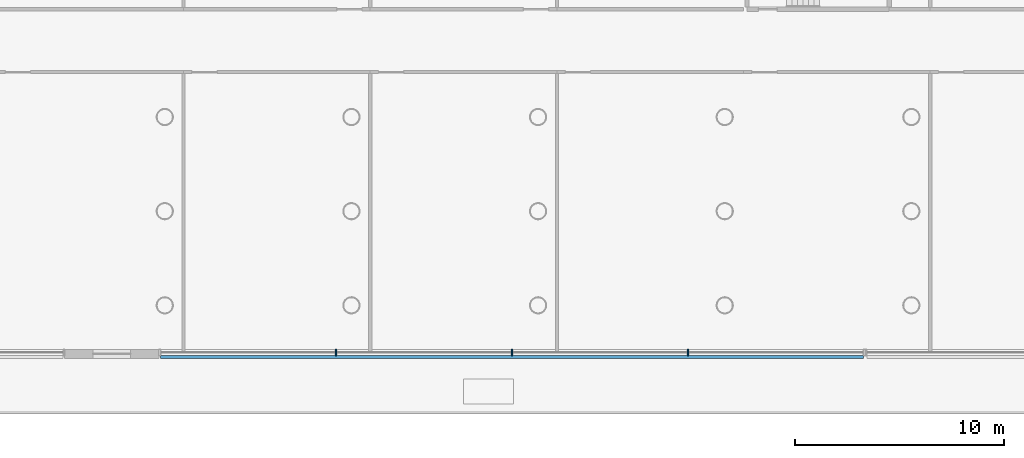
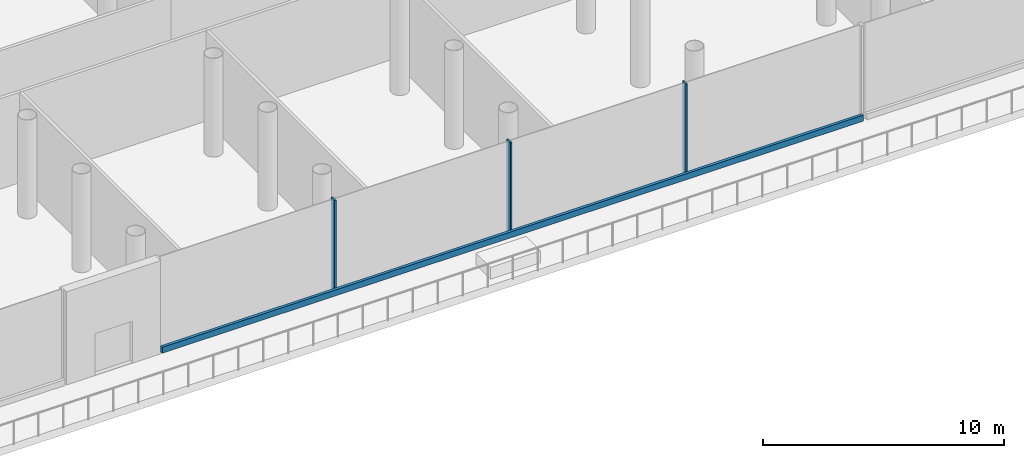
# One storey, part 6 of 59: 4 members, 1 element without a shape of its own.
"""IFC4 building model written with IfcOpenShell, lengths in metres."""

from ifc_helpers import new_model, si_unit, direction, frame, origin, origin_2d, place, context, subcontext, project, spatial, rectangle, extrude, material, layer, layer_set, material_profile, profile_set, type_object, element, aggregate, save


model = new_model("IFC4")

# Units and contexts
model_context = context("Model", 3, precision=1e-05, world=origin(), true_north=direction((0.0, 1.0)))
body_context = subcontext(model_context, "Body", "Model", "MODEL_VIEW")
ifc_project = project(units=[si_unit("LENGTHUNIT", "METRE"), si_unit("AREAUNIT", "SQUARE_METRE"), si_unit("VOLUMEUNIT", "CUBIC_METRE"), si_unit("PLANEANGLEUNIT", "RADIAN"), si_unit("MASSUNIT", "GRAM", prefix="KILO")], contexts=[model_context])

# Site, building, storey
site_placement = place(None, origin())
site = spatial("IfcSite", under=ifc_project, at=site_placement, CompositionType="ELEMENT")
building_placement = place(site_placement, origin())
building = spatial("IfcBuilding", under=site, at=building_placement, Name="Ipe Terrace Towers", CompositionType="ELEMENT")
storey_placement = place(building_placement, frame((0.0, 0.0, 6.0)))
storey = spatial("IfcBuildingStorey", under=building, at=storey_placement, Name="L01", CompositionType="ELEMENT", Elevation=6.0)

# Curtain wall, members
ifc_material_1 = material(Name="Aluminium alloy 6063-T6", Category="aluminium")
ifc_layer = layer(ifc_material_1, 0.43994140625)
ifc_layer_set = layer_set([ifc_layer], Name="PODIUM GLAZING CURTAIN WALL")
curtain_wall_type = type_object("IfcCurtainWallType", Name="PODIUM GLAZING CURTAIN WALL", PredefinedType="NOTDEFINED", material=ifc_layer_set)
curtain_wall_placement = place(storey_placement, origin())
curtain_wall = element("IfcCurtainWall", 1, at=curtain_wall_placement, inside=storey, type_object=curtain_wall_type, Name="POD-CW-L01-03c curtain wall", PredefinedType="NOTDEFINED")
ifc_material_2 = material(Name="Aluminium alloy 6063-T6", Category="aluminium")
ifc_material_profile_1 = material_profile(ifc_material_2, rectangle(XDim=0.300048828125, YDim=0.080078125, at=origin_2d()), Name="PODIUM GLAZING MULLION 300 x 80")
ifc_profile_set_1 = profile_set([ifc_material_profile_1], Name="Aluminium alloy 6063-T6")
member_type_1 = type_object("IfcMemberType", Name="PODIUM GLAZING MULLION 300 x 80", PredefinedType="MULLION", material=ifc_profile_set_1)
member_1_placement = place(storey_placement, frame((-25.29248046875, -39.89990234375, -0.02001953125), z_axis=(0.0, 0.0, 1.0), x_axis=(0.0, -1.0, 0.0)))
member_1 = element("IfcMember", 2, at=member_1_placement, type_object=member_type_1, Name="POD-CW-L01-03c mullion 2", PredefinedType="MULLION", context=body_context, shape_type="SweptSolid", body=[
    extrude(rectangle(XDim=0.300048828125, YDim=0.080078125, at=origin_2d()), origin(), (0.0, 0.0, 1.0), 4.719970703125),
])
member_2_placement = place(storey_placement, frame((-16.875, -39.89990234375, -0.02001953125), z_axis=(0.0, 0.0, 1.0), x_axis=(0.0, -1.0, 0.0)))
member_2 = element("IfcMember", 3, at=member_2_placement, type_object=member_type_1, Name="POD-CW-L01-03c mullion 3", PredefinedType="MULLION", context=body_context, shape_type="SweptSolid", body=[
    extrude(rectangle(XDim=0.300048828125, YDim=0.080078125, at=origin_2d()), origin(), (0.0, 0.0, 1.0), 4.719970703125),
])
member_3_placement = place(storey_placement, frame((-8.45751953125, -39.89990234375, -0.02001953125), z_axis=(0.0, 0.0, 1.0), x_axis=(0.0, -1.0, 0.0)))
member_3 = element("IfcMember", 4, at=member_3_placement, type_object=member_type_1, Name="POD-CW-L01-03c mullion 4", PredefinedType="MULLION", context=body_context, shape_type="SweptSolid", body=[
    extrude(rectangle(XDim=0.300048828125, YDim=0.080078125, at=origin_2d()), origin(), (0.0, 0.0, 1.0), 4.719970703125),
])
ifc_material_3 = material(Name="Aluminium alloy 6063-T6", Category="aluminium")
ifc_material_profile_2 = material_profile(ifc_material_3, rectangle(XDim=0.139892578125, YDim=0.300048828125, at=origin_2d()), Name="PODIUM GLAZING TRANSOM 140 x 300")
ifc_profile_set_2 = profile_set([ifc_material_profile_2], Name="Aluminium alloy 6063-T6")
member_type_2 = type_object("IfcMemberType", Name="PODIUM GLAZING TRANSOM 140 x 300", PredefinedType="USERDEFINED", material=ifc_profile_set_2)
member_4_placement = place(storey_placement, frame((-33.669921875, -40.1201171875, 0.1298828125), z_axis=(1.0, 0.0, 0.0), x_axis=(0.0, -1.0, 0.0)))
member_4 = element("IfcMember", 5, at=member_4_placement, type_object=member_type_2, Name="POD-CW-L01-03c transom", ObjectType="TRANSOM", PredefinedType="USERDEFINED", context=body_context, shape_type="SweptSolid", body=[
    extrude(rectangle(XDim=0.139892578125, YDim=0.300048828125, at=origin_2d()), origin(), (0.0, 0.0, 1.0), 33.58984375),
])
aggregate(curtain_wall, [member_1, member_2, member_3, member_4])

save(model, "model.ifc")
